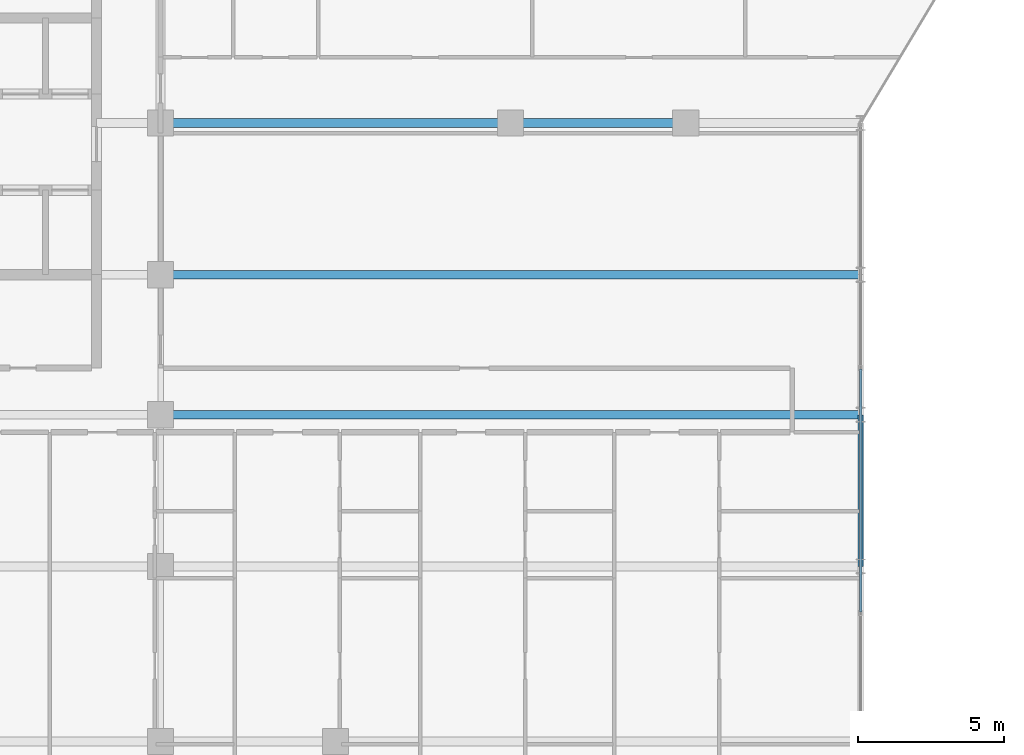
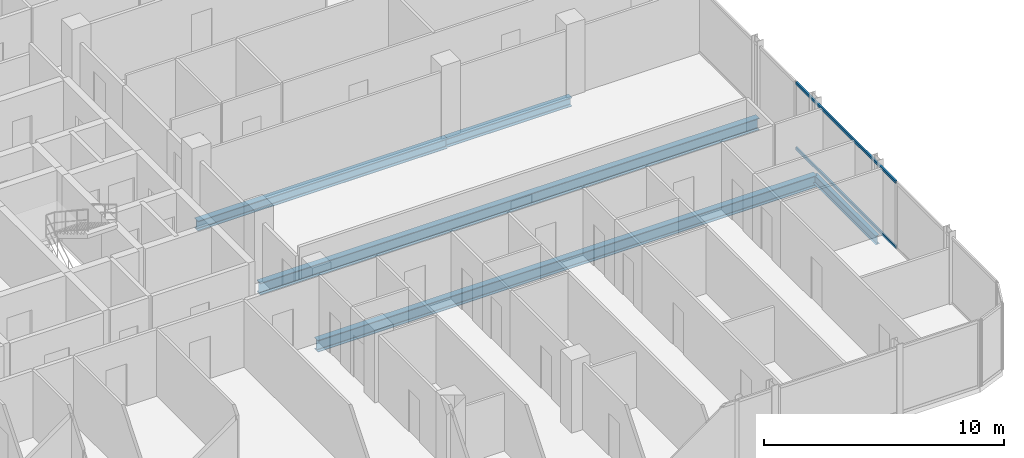
# One storey, part 12 of 32: 5 beams, 2 members, 1 element without a shape of its own.
"""IFC4 building model written with IfcOpenShell, lengths in metres."""

from ifc_helpers import new_model, si_unit, direction, frame, origin, origin_2d, place, context, subcontext, project, spatial, hollow_rectangle, i_section, extrude, material, layer, layer_set, material_profile, profile_set, type_object, element, aggregate, save


model = new_model("IFC4")

# Units and contexts
model_context = context("Model", 3, precision=1e-05, world=origin(), true_north=direction((0.0, 1.0)))
body_context = subcontext(model_context, "Body", "Model", "MODEL_VIEW")
ifc_project = project(units=[si_unit("LENGTHUNIT", "METRE"), si_unit("AREAUNIT", "SQUARE_METRE"), si_unit("VOLUMEUNIT", "CUBIC_METRE"), si_unit("PLANEANGLEUNIT", "RADIAN"), si_unit("MASSUNIT", "GRAM", prefix="KILO")], contexts=[model_context])

# Site, building, storey
site_placement = place(None, origin())
site = spatial("IfcSite", under=ifc_project, at=site_placement, CompositionType="ELEMENT")
building_placement = place(site_placement, origin())
building = spatial("IfcBuilding", under=site, at=building_placement, Name="Keshet Zoharim Tower", CompositionType="ELEMENT")
storey_placement = place(building_placement, frame((0.0, 0.0, 152.0)))
storey = spatial("IfcBuildingStorey", under=building, at=storey_placement, Name="L37", CompositionType="ELEMENT", Elevation=152.0)

# Beams
ifc_material_1 = material(Name="Steel S355", Category="steel")
ifc_material_profile_1 = material_profile(ifc_material_1, i_section(OverallWidth=0.300048828125, OverallDepth=0.60009765625, WebThickness=0.015380859375, FlangeThickness=0.030029296875, FilletRadius=0.027099609375, at=origin_2d()), Name="HEB600")
ifc_profile_set_1 = profile_set([ifc_material_profile_1], Name="Steel S355")
beam_type_1 = type_object("IfcBeamType", Name="BM-LNG-HB600", PredefinedType="BEAM", material=ifc_profile_set_1)
for number, where, z_axis, x_axis, name in (
    (1, (33.0, 17.89990234375, -0.614990234375), (1.0, 0.0, 0.0), (0.0, 1.0, 0.0), "L37 Primary Girder X-013"),
    (2, (33.0, 22.699951171875, -0.614990234375), (1.0, 0.0, 0.0), (0.0, 1.0, 0.0), "L37 Primary Girder X-014"),
):
    element("IfcBeam", number, at=place(storey_placement, frame(where, z_axis=z_axis, x_axis=x_axis)), inside=storey, type_object=beam_type_1, Name=name, PredefinedType="BEAM", context=body_context, shape_type="SweptSolid", body=[
        extrude(i_section(OverallWidth=0.300048828125, OverallDepth=0.60009765625, WebThickness=0.015380859375, FlangeThickness=0.030029296875, FilletRadius=0.027099609375, at=origin_2d()), origin(), (0.0, 0.0, 1.0), 24.0),
    ])
ifc_material_profile_2 = material_profile(ifc_material_1, i_section(OverallWidth=0.300048828125, OverallDepth=0.5, WebThickness=0.014404296875, FlangeThickness=0.028076171875, FilletRadius=0.027099609375, at=origin_2d()), Name="HEB500")
ifc_profile_set_2 = profile_set([ifc_material_profile_2], Name="Steel S355")
beam_type_2 = type_object("IfcBeamType", Name="BM-MED-HB500", PredefinedType="BEAM", material=ifc_profile_set_2)
beam_1_placement = place(storey_placement, frame((33.0, 27.89990234375, -0.56494140625), z_axis=(1.0, 0.0, 0.0), x_axis=(0.0, 1.0, 0.0)))
element("IfcBeam", 3, at=beam_1_placement, inside=storey, type_object=beam_type_2, Name="L37 Primary Girder X-015", PredefinedType="BEAM", context=body_context, shape_type="SweptSolid", body=[
    extrude(i_section(OverallWidth=0.300048828125, OverallDepth=0.5, WebThickness=0.014404296875, FlangeThickness=0.028076171875, FilletRadius=0.027099609375, at=origin_2d()), origin(), (0.0, 0.0, 1.0), 12.0),
])
ifc_material_profile_3 = material_profile(ifc_material_1, i_section(OverallWidth=0.18994140625, OverallDepth=0.449951171875, WebThickness=0.009521484375, FlangeThickness=0.0146484375, FilletRadius=0.02099609375, at=origin_2d()), Name="IPE450")
ifc_profile_set_3 = profile_set([ifc_material_profile_3], Name="Steel S355")
beam_type_3 = type_object("IfcBeamType", Name="BM-PRI-IP450", PredefinedType="BEAM", material=ifc_profile_set_3)
beam_2_placement = place(storey_placement, frame((57.0, 12.699951171875, -0.5400390625), z_axis=(0.0, 1.0, 0.0), x_axis=(-1.0, 0.0, 0.0)))
element("IfcBeam", 4, at=beam_2_placement, inside=storey, type_object=beam_type_3, Name="L37 Primary Girder Y-014", PredefinedType="BEAM", context=body_context, shape_type="SweptSolid", body=[
    extrude(i_section(OverallWidth=0.18994140625, OverallDepth=0.449951171875, WebThickness=0.009521484375, FlangeThickness=0.0146484375, FilletRadius=0.02099609375, at=origin_2d()), origin(), (0.0, 0.0, 1.0), 5.199951171875),
])
ifc_material_profile_4 = material_profile(ifc_material_1, i_section(OverallWidth=0.300048828125, OverallDepth=0.449951171875, WebThickness=0.013916015625, FlangeThickness=0.02587890625, FilletRadius=0.027099609375, at=origin_2d()), Name="HEB450")
ifc_profile_set_4 = profile_set([ifc_material_profile_4], Name="Steel S355")
beam_type_4 = type_object("IfcBeamType", Name="BM-WEB-HB450", PredefinedType="BEAM", material=ifc_profile_set_4)
beam_3_placement = place(storey_placement, frame((45.0, 27.89990234375, -0.5400390625), z_axis=(1.0, 0.0, 0.0), x_axis=(0.0, 1.0, 0.0)))
element("IfcBeam", 5, at=beam_3_placement, inside=storey, type_object=beam_type_4, Name="L37 Primary Girder X-016", PredefinedType="BEAM", context=body_context, shape_type="SweptSolid", body=[
    extrude(i_section(OverallWidth=0.300048828125, OverallDepth=0.449951171875, WebThickness=0.013916015625, FlangeThickness=0.02587890625, FilletRadius=0.027099609375, at=origin_2d()), origin(), (0.0, 0.0, 1.0), 6.0),
])

# Curtain wall, members
ifc_material_2 = material(Name="Aluminium 6063-T6", Category="aluminium")
ifc_layer = layer(ifc_material_2, 0.159912109375)
ifc_layer_set = layer_set([ifc_layer], Name="Aluminium 6063-T6")
curtain_wall_type = type_object("IfcCurtainWallType", Name="CW-SYS-03", PredefinedType="NOTDEFINED", material=ifc_layer_set)
curtain_wall_placement = place(storey_placement, origin())
curtain_wall = element("IfcCurtainWall", 6, at=curtain_wall_placement, inside=storey, type_object=curtain_wall_type, Name="L37 Unitised Curtain Wall 19", PredefinedType="NOTDEFINED")
ifc_material_profile_5 = material_profile(ifc_material_2, hollow_rectangle(XDim=0.080078125, YDim=0.139892578125, WallThickness=0.00390625, at=origin_2d()), Name="TRN-80x140")
ifc_profile_set_5 = profile_set([ifc_material_profile_5], Name="Aluminium 6063-T6")
member_type = type_object("IfcMemberType", Name="CWT-T14", PredefinedType="USERDEFINED", material=ifc_profile_set_5)
member_1_placement = place(storey_placement, frame((57.0, 19.465087890625, 0.034912109375), z_axis=(0.0, -1.0, 0.0), x_axis=(1.0, 0.0, 0.0)))
member_1 = element("IfcMember", 7, at=member_1_placement, type_object=member_type, Name="CW-03 transom 2.1", ObjectType="TRANSOM", PredefinedType="USERDEFINED", context=body_context, shape_type="SweptSolid", body=[
    extrude(hollow_rectangle(XDim=0.080078125, YDim=0.139892578125, WallThickness=0.00390625, at=origin_2d()), origin(), (0.0, 0.0, 1.0), 8.330078125),
])
member_2_placement = place(storey_placement, frame((57.0, 19.465087890625, 3.35009765625), z_axis=(0.0, -1.0, 0.0), x_axis=(1.0, 0.0, 0.0)))
member_2 = element("IfcMember", 8, at=member_2_placement, type_object=member_type, Name="CW-03 transom 2.2", ObjectType="TRANSOM", PredefinedType="USERDEFINED", context=body_context, shape_type="SweptSolid", body=[
    extrude(hollow_rectangle(XDim=0.080078125, YDim=0.139892578125, WallThickness=0.00390625, at=origin_2d()), origin(), (0.0, 0.0, 1.0), 8.330078125),
])
aggregate(curtain_wall, [member_1, member_2])

save(model, "model.ifc")
